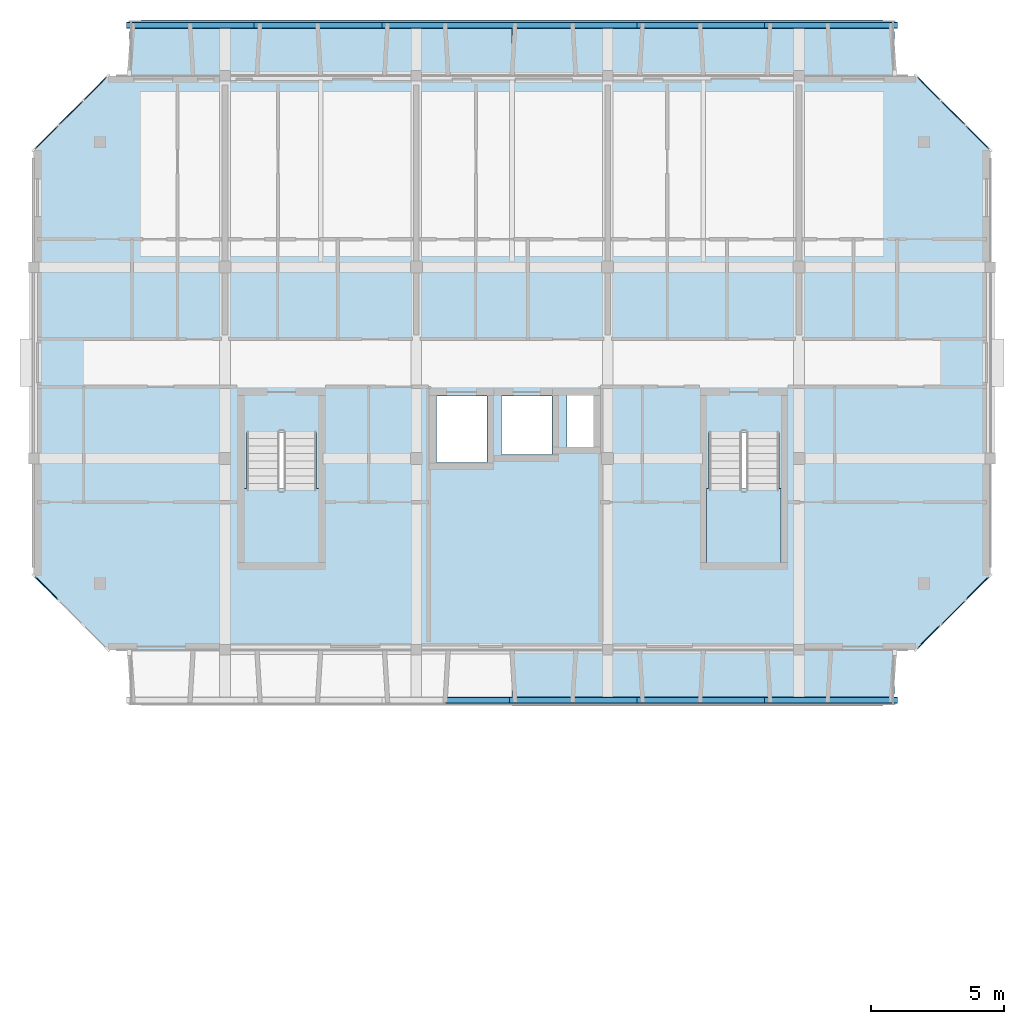
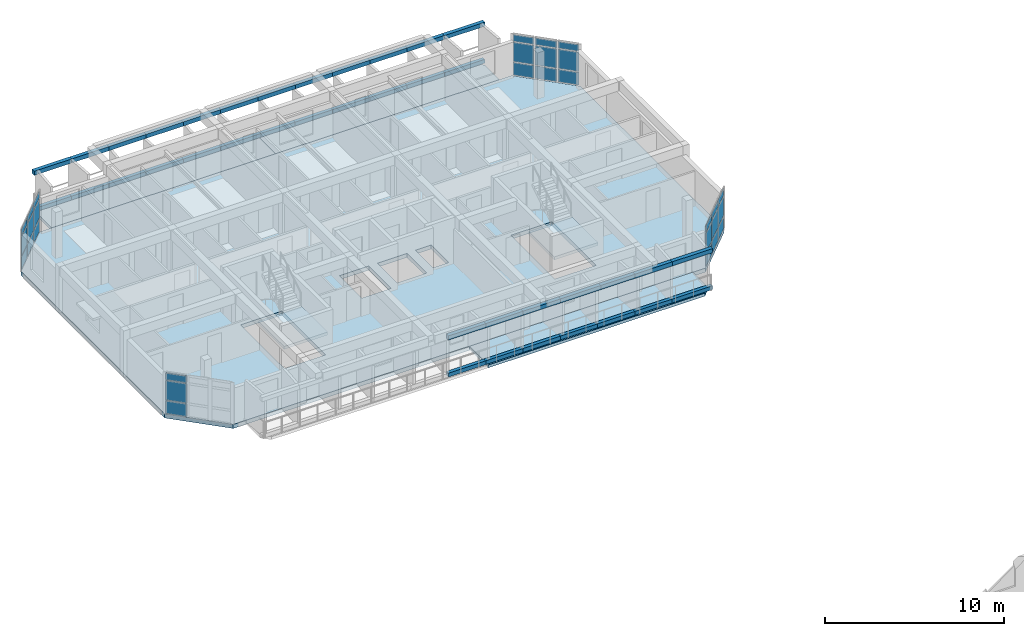
# One storey, part 7 of 19: 68 plates, 6 slabs, 6 elements without a shape of their own.
"""IFC4 building model written with IfcOpenShell, lengths in metres."""

from ifc_helpers import new_model, si_unit, direction, frame, origin, origin_2d, place, context, subcontext, project, spatial, polyline, rectangle, outline, extrude, material, layer, layer_set, type_object, element, aggregate, save


model = new_model("IFC4")

# Units and contexts
model_context = context("Model", 3, precision=1e-05, world=origin(), true_north=direction((0.0, 1.0)))
body_context = subcontext(model_context, "Body", "Model", "MODEL_VIEW")
ifc_project = project(units=[si_unit("LENGTHUNIT", "METRE"), si_unit("AREAUNIT", "SQUARE_METRE"), si_unit("VOLUMEUNIT", "CUBIC_METRE"), si_unit("PLANEANGLEUNIT", "RADIAN"), si_unit("MASSUNIT", "GRAM", prefix="KILO")], contexts=[model_context])

# Site, building, storey
site_placement = place(None, origin())
site = spatial("IfcSite", under=ifc_project, at=site_placement, CompositionType="ELEMENT")
building_placement = place(site_placement, origin())
building = spatial("IfcBuilding", under=site, at=building_placement, Name="Ochrevale Crest", CompositionType="ELEMENT")
storey_placement = place(building_placement, frame((0.0, 0.0, 43.35009765625)))
storey = spatial("IfcBuildingStorey", under=building, at=storey_placement, Name="L13", CompositionType="ELEMENT", Elevation=43.35009765625)

# Curtain wall, plates
ifc_material_1 = material(Name="Anodised aluminium 6063-T5", Category="aluminium")
ifc_layer_1 = layer(ifc_material_1, 0.14990234375)
ifc_layer_set_1 = layer_set([ifc_layer_1], Name="Anodised aluminium 6063-T5")
curtain_wall_type_1 = type_object("IfcCurtainWallType", Name="CW-WG-240x285", PredefinedType="NOTDEFINED", material=ifc_layer_set_1)
curtain_wall_1_placement = place(storey_placement, origin())
curtain_wall_1 = element("IfcCurtainWall", 1, at=curtain_wall_1_placement, inside=storey, type_object=curtain_wall_type_1, Name="Block D L13 chamfered corner wintergarden curtain wall 2", PredefinedType="NOTDEFINED")
ifc_material_2 = material(Name="Double-glazed low-E insulated glass unit", Category="glass")
ifc_layer_2 = layer(ifc_material_2, 0.028076171875)
ifc_layer_set_2 = layer_set([ifc_layer_2], Name="Double-glazed low-E insulated glass unit")
plate_type_1 = type_object("IfcPlateType", Name="CW-PNL-IGU28", PredefinedType="CURTAIN_PANEL", material=ifc_layer_set_2)
plate_1_placement = place(storey_placement, frame((163.280029296875, 72.47998046875, 0.06005859375), z_axis=(0.0, 0.0, 1.0), x_axis=(0.707106781187, 0.707106781187, 0.0)))
plate_1 = element("IfcPlate", 2, at=plate_1_placement, type_object=plate_type_1, Name="CW15 panel 1.1", PredefinedType="CURTAIN_PANEL", context=body_context, shape_type="SweptSolid", body=[
    extrude(rectangle(XDim=1.20751953125, YDim=0.028076171875, at=origin_2d()), origin(), (0.0, 0.0, 1.0), 0.860107421875),
])
plate_2_placement = place(storey_placement, frame((163.280029296875, 72.47998046875, 0.97998046875), z_axis=(0.0, 0.0, 1.0), x_axis=(0.707106781187, 0.707106781187, 0.0)))
plate_2 = element("IfcPlate", 3, at=plate_2_placement, type_object=plate_type_1, Name="CW15 panel 1.2", PredefinedType="CURTAIN_PANEL", context=body_context, shape_type="SweptSolid", body=[
    extrude(rectangle(XDim=1.20751953125, YDim=0.028076171875, at=origin_2d()), origin(), (0.0, 0.0, 1.0), 1.31494140625),
])
plate_3_placement = place(storey_placement, frame((163.280029296875, 72.47998046875, 2.35498046875), z_axis=(0.0, 0.0, 1.0), x_axis=(0.707106781187, 0.707106781187, 0.0)))
plate_3 = element("IfcPlate", 4, at=plate_3_placement, type_object=plate_type_1, Name="CW15 panel 1.3", PredefinedType="CURTAIN_PANEL", context=body_context, shape_type="SweptSolid", body=[
    extrude(rectangle(XDim=1.20751953125, YDim=0.028076171875, at=origin_2d()), origin(), (0.0, 0.0, 1.0), 0.4599609375),
])
plate_4_placement = place(storey_placement, frame((164.199951171875, 73.39990234375, 0.06005859375), z_axis=(0.0, 0.0, 1.0), x_axis=(0.707106781187, 0.707106781187, 0.0)))
plate_4 = element("IfcPlate", 5, at=plate_4_placement, type_object=plate_type_1, Name="CW15 panel 2.1", PredefinedType="CURTAIN_PANEL", context=body_context, shape_type="SweptSolid", body=[
    extrude(rectangle(XDim=1.244873046875, YDim=0.028076171875, at=origin_2d()), origin(), (0.0, 0.0, 1.0), 0.860107421875),
])
plate_5_placement = place(storey_placement, frame((164.199951171875, 73.39990234375, 0.97998046875), z_axis=(0.0, 0.0, 1.0), x_axis=(0.707106781187, 0.707106781187, 0.0)))
plate_5 = element("IfcPlate", 6, at=plate_5_placement, type_object=plate_type_1, Name="CW15 panel 2.2", PredefinedType="CURTAIN_PANEL", context=body_context, shape_type="SweptSolid", body=[
    extrude(rectangle(XDim=1.244873046875, YDim=0.028076171875, at=origin_2d()), origin(), (0.0, 0.0, 1.0), 1.31494140625),
])
plate_6_placement = place(storey_placement, frame((164.199951171875, 73.39990234375, 2.35498046875), z_axis=(0.0, 0.0, 1.0), x_axis=(0.707106781187, 0.707106781187, 0.0)))
plate_6 = element("IfcPlate", 7, at=plate_6_placement, type_object=plate_type_1, Name="CW15 panel 2.3", PredefinedType="CURTAIN_PANEL", context=body_context, shape_type="SweptSolid", body=[
    extrude(rectangle(XDim=1.244873046875, YDim=0.028076171875, at=origin_2d()), origin(), (0.0, 0.0, 1.0), 0.4599609375),
])
plate_7_placement = place(storey_placement, frame((165.1201171875, 74.320068359375, 0.06005859375), z_axis=(0.0, 0.0, 1.0), x_axis=(0.707106781187, 0.707106781187, 0.0)))
plate_7 = element("IfcPlate", 8, at=plate_7_placement, type_object=plate_type_1, Name="CW15 panel 3.1", PredefinedType="CURTAIN_PANEL", context=body_context, shape_type="SweptSolid", body=[
    extrude(rectangle(XDim=1.20751953125, YDim=0.028076171875, at=origin_2d()), origin(), (0.0, 0.0, 1.0), 0.860107421875),
])
plate_8_placement = place(storey_placement, frame((165.1201171875, 74.320068359375, 0.97998046875), z_axis=(0.0, 0.0, 1.0), x_axis=(0.707106781187, 0.707106781187, 0.0)))
plate_8 = element("IfcPlate", 9, at=plate_8_placement, type_object=plate_type_1, Name="CW15 panel 3.2", PredefinedType="CURTAIN_PANEL", context=body_context, shape_type="SweptSolid", body=[
    extrude(rectangle(XDim=1.20751953125, YDim=0.028076171875, at=origin_2d()), origin(), (0.0, 0.0, 1.0), 1.31494140625),
])
plate_9_placement = place(storey_placement, frame((165.1201171875, 74.320068359375, 2.35498046875), z_axis=(0.0, 0.0, 1.0), x_axis=(0.707106781187, 0.707106781187, 0.0)))
plate_9 = element("IfcPlate", 10, at=plate_9_placement, type_object=plate_type_1, Name="CW15 panel 3.3", PredefinedType="CURTAIN_PANEL", context=body_context, shape_type="SweptSolid", body=[
    extrude(rectangle(XDim=1.20751953125, YDim=0.028076171875, at=origin_2d()), origin(), (0.0, 0.0, 1.0), 0.4599609375),
])
aggregate(curtain_wall_1, [plate_1, plate_2, plate_3, plate_4, plate_5, plate_6, plate_7, plate_8, plate_9])

ifc_layer_3 = layer(ifc_material_1, 0.14990234375)
ifc_layer_set_3 = layer_set([ifc_layer_3], Name="Anodised aluminium 6063-T5")
curtain_wall_type_2 = type_object("IfcCurtainWallType", Name="CW-WG-320x285", PredefinedType="NOTDEFINED", material=ifc_layer_set_3)
curtain_wall_2_placement = place(storey_placement, origin())
curtain_wall_2 = element("IfcCurtainWall", 11, at=curtain_wall_2_placement, inside=storey, type_object=curtain_wall_type_2, Name="Block D L13 chamfered corner wintergarden curtain wall 4", PredefinedType="NOTDEFINED")
plate_10_placement = place(storey_placement, frame((165.1201171875, 91.280029296875, 0.06005859375), z_axis=(0.0, 0.0, 1.0), x_axis=(-0.707106781187, 0.707106781187, 0.0)))
plate_10 = element("IfcPlate", 12, at=plate_10_placement, type_object=plate_type_1, Name="CW17 panel 1.1", PredefinedType="CURTAIN_PANEL", context=body_context, shape_type="SweptSolid", body=[
    extrude(rectangle(XDim=1.20751953125, YDim=0.028076171875, at=origin_2d()), origin(), (0.0, 0.0, 1.0), 0.860107421875),
])
plate_11_placement = place(storey_placement, frame((165.1201171875, 91.280029296875, 0.97998046875), z_axis=(0.0, 0.0, 1.0), x_axis=(-0.707106781187, 0.707106781187, 0.0)))
plate_11 = element("IfcPlate", 13, at=plate_11_placement, type_object=plate_type_1, Name="CW17 panel 1.2", PredefinedType="CURTAIN_PANEL", context=body_context, shape_type="SweptSolid", body=[
    extrude(rectangle(XDim=1.20751953125, YDim=0.028076171875, at=origin_2d()), origin(), (0.0, 0.0, 1.0), 1.31494140625),
])
plate_12_placement = place(storey_placement, frame((165.1201171875, 91.280029296875, 2.35498046875), z_axis=(0.0, 0.0, 1.0), x_axis=(-0.707106781187, 0.707106781187, 0.0)))
plate_12 = element("IfcPlate", 14, at=plate_12_placement, type_object=plate_type_1, Name="CW17 panel 1.3", PredefinedType="CURTAIN_PANEL", context=body_context, shape_type="SweptSolid", body=[
    extrude(rectangle(XDim=1.20751953125, YDim=0.028076171875, at=origin_2d()), origin(), (0.0, 0.0, 1.0), 0.4599609375),
])
plate_13_placement = place(storey_placement, frame((164.199951171875, 92.199951171875, 0.06005859375), z_axis=(0.0, 0.0, 1.0), x_axis=(-0.707106781187, 0.707106781187, 0.0)))
plate_13 = element("IfcPlate", 15, at=plate_13_placement, type_object=plate_type_1, Name="CW17 panel 2.1", PredefinedType="CURTAIN_PANEL", context=body_context, shape_type="SweptSolid", body=[
    extrude(rectangle(XDim=1.244873046875, YDim=0.028076171875, at=origin_2d()), origin(), (0.0, 0.0, 1.0), 0.860107421875),
])
plate_14_placement = place(storey_placement, frame((164.199951171875, 92.199951171875, 0.97998046875), z_axis=(0.0, 0.0, 1.0), x_axis=(-0.707106781187, 0.707106781187, 0.0)))
plate_14 = element("IfcPlate", 16, at=plate_14_placement, type_object=plate_type_1, Name="CW17 panel 2.2", PredefinedType="CURTAIN_PANEL", context=body_context, shape_type="SweptSolid", body=[
    extrude(rectangle(XDim=1.244873046875, YDim=0.028076171875, at=origin_2d()), origin(), (0.0, 0.0, 1.0), 1.31494140625),
])
plate_15_placement = place(storey_placement, frame((164.199951171875, 92.199951171875, 2.35498046875), z_axis=(0.0, 0.0, 1.0), x_axis=(-0.707106781187, 0.707106781187, 0.0)))
plate_15 = element("IfcPlate", 17, at=plate_15_placement, type_object=plate_type_1, Name="CW17 panel 2.3", PredefinedType="CURTAIN_PANEL", context=body_context, shape_type="SweptSolid", body=[
    extrude(rectangle(XDim=1.244873046875, YDim=0.028076171875, at=origin_2d()), origin(), (0.0, 0.0, 1.0), 0.4599609375),
])
plate_16_placement = place(storey_placement, frame((163.280029296875, 93.1201171875, 0.06005859375), z_axis=(0.0, 0.0, 1.0), x_axis=(-0.707106781187, 0.707106781187, 0.0)))
plate_16 = element("IfcPlate", 18, at=plate_16_placement, type_object=plate_type_1, Name="CW17 panel 3.1", PredefinedType="CURTAIN_PANEL", context=body_context, shape_type="SweptSolid", body=[
    extrude(rectangle(XDim=1.20751953125, YDim=0.028076171875, at=origin_2d()), origin(), (0.0, 0.0, 1.0), 0.860107421875),
])
plate_17_placement = place(storey_placement, frame((163.280029296875, 93.1201171875, 0.97998046875), z_axis=(0.0, 0.0, 1.0), x_axis=(-0.707106781187, 0.707106781187, 0.0)))
plate_17 = element("IfcPlate", 19, at=plate_17_placement, type_object=plate_type_1, Name="CW17 panel 3.2", PredefinedType="CURTAIN_PANEL", context=body_context, shape_type="SweptSolid", body=[
    extrude(rectangle(XDim=1.20751953125, YDim=0.028076171875, at=origin_2d()), origin(), (0.0, 0.0, 1.0), 1.31494140625),
])
plate_18_placement = place(storey_placement, frame((163.280029296875, 93.1201171875, 2.35498046875), z_axis=(0.0, 0.0, 1.0), x_axis=(-0.707106781187, 0.707106781187, 0.0)))
plate_18 = element("IfcPlate", 20, at=plate_18_placement, type_object=plate_type_1, Name="CW17 panel 3.3", PredefinedType="CURTAIN_PANEL", context=body_context, shape_type="SweptSolid", body=[
    extrude(rectangle(XDim=1.20751953125, YDim=0.028076171875, at=origin_2d()), origin(), (0.0, 0.0, 1.0), 0.4599609375),
])
aggregate(curtain_wall_2, [plate_10, plate_11, plate_12, plate_13, plate_14, plate_15, plate_16, plate_17, plate_18])

ifc_layer_4 = layer(ifc_material_1, 0.14990234375)
ifc_layer_set_4 = layer_set([ifc_layer_4], Name="Anodised aluminium 6063-T5")
curtain_wall_type_3 = type_object("IfcCurtainWallType", Name="CW-WG-420x285", PredefinedType="NOTDEFINED", material=ifc_layer_set_4)
curtain_wall_3_placement = place(storey_placement, origin())
curtain_wall_3 = element("IfcCurtainWall", 21, at=curtain_wall_3_placement, inside=storey, type_object=curtain_wall_type_3, Name="Block D L13 chamfered corner wintergarden curtain wall 6", PredefinedType="NOTDEFINED")
plate_19_placement = place(storey_placement, frame((131.920166015625, 93.1201171875, 0.06005859375), z_axis=(0.0, 0.0, 1.0), x_axis=(-0.707106781187, -0.707106781187, 0.0)))
plate_19 = element("IfcPlate", 22, at=plate_19_placement, type_object=plate_type_1, Name="CW22 panel 1.1", PredefinedType="CURTAIN_PANEL", context=body_context, shape_type="SweptSolid", body=[
    extrude(rectangle(XDim=1.20751953125, YDim=0.028076171875, at=origin_2d()), origin(), (0.0, 0.0, 1.0), 0.860107421875),
])
plate_20_placement = place(storey_placement, frame((131.920166015625, 93.1201171875, 0.97998046875), z_axis=(0.0, 0.0, 1.0), x_axis=(-0.707106781187, -0.707106781187, 0.0)))
plate_20 = element("IfcPlate", 23, at=plate_20_placement, type_object=plate_type_1, Name="CW22 panel 1.2", PredefinedType="CURTAIN_PANEL", context=body_context, shape_type="SweptSolid", body=[
    extrude(rectangle(XDim=1.20751953125, YDim=0.028076171875, at=origin_2d()), origin(), (0.0, 0.0, 1.0), 1.31494140625),
])
plate_21_placement = place(storey_placement, frame((131.920166015625, 93.1201171875, 2.35498046875), z_axis=(0.0, 0.0, 1.0), x_axis=(-0.707106781187, -0.707106781187, 0.0)))
plate_21 = element("IfcPlate", 24, at=plate_21_placement, type_object=plate_type_1, Name="CW22 panel 1.3", PredefinedType="CURTAIN_PANEL", context=body_context, shape_type="SweptSolid", body=[
    extrude(rectangle(XDim=1.20751953125, YDim=0.028076171875, at=origin_2d()), origin(), (0.0, 0.0, 1.0), 0.4599609375),
])
plate_22_placement = place(storey_placement, frame((131.0, 92.199951171875, 0.06005859375), z_axis=(0.0, 0.0, 1.0), x_axis=(-0.707106781187, -0.707106781187, 0.0)))
plate_22 = element("IfcPlate", 25, at=plate_22_placement, type_object=plate_type_1, Name="CW22 panel 2.1", PredefinedType="CURTAIN_PANEL", context=body_context, shape_type="SweptSolid", body=[
    extrude(rectangle(XDim=1.244873046875, YDim=0.028076171875, at=origin_2d()), origin(), (0.0, 0.0, 1.0), 0.860107421875),
])
plate_23_placement = place(storey_placement, frame((131.0, 92.199951171875, 0.97998046875), z_axis=(0.0, 0.0, 1.0), x_axis=(-0.707106781187, -0.707106781187, 0.0)))
plate_23 = element("IfcPlate", 26, at=plate_23_placement, type_object=plate_type_1, Name="CW22 panel 2.2", PredefinedType="CURTAIN_PANEL", context=body_context, shape_type="SweptSolid", body=[
    extrude(rectangle(XDim=1.244873046875, YDim=0.028076171875, at=origin_2d()), origin(), (0.0, 0.0, 1.0), 1.31494140625),
])
plate_24_placement = place(storey_placement, frame((131.0, 92.199951171875, 2.35498046875), z_axis=(0.0, 0.0, 1.0), x_axis=(-0.707106781187, -0.707106781187, 0.0)))
plate_24 = element("IfcPlate", 27, at=plate_24_placement, type_object=plate_type_1, Name="CW22 panel 2.3", PredefinedType="CURTAIN_PANEL", context=body_context, shape_type="SweptSolid", body=[
    extrude(rectangle(XDim=1.244873046875, YDim=0.028076171875, at=origin_2d()), origin(), (0.0, 0.0, 1.0), 0.4599609375),
])
plate_25_placement = place(storey_placement, frame((130.079833984375, 91.280029296875, 0.06005859375), z_axis=(0.0, 0.0, 1.0), x_axis=(-0.707106781187, -0.707106781187, 0.0)))
plate_25 = element("IfcPlate", 28, at=plate_25_placement, type_object=plate_type_1, Name="CW22 panel 3.1", PredefinedType="CURTAIN_PANEL", context=body_context, shape_type="SweptSolid", body=[
    extrude(rectangle(XDim=1.20751953125, YDim=0.028076171875, at=origin_2d()), origin(), (0.0, 0.0, 1.0), 0.860107421875),
])
plate_26_placement = place(storey_placement, frame((130.079833984375, 91.280029296875, 0.97998046875), z_axis=(0.0, 0.0, 1.0), x_axis=(-0.707106781187, -0.707106781187, 0.0)))
plate_26 = element("IfcPlate", 29, at=plate_26_placement, type_object=plate_type_1, Name="CW22 panel 3.2", PredefinedType="CURTAIN_PANEL", context=body_context, shape_type="SweptSolid", body=[
    extrude(rectangle(XDim=1.20751953125, YDim=0.028076171875, at=origin_2d()), origin(), (0.0, 0.0, 1.0), 1.31494140625),
])
plate_27_placement = place(storey_placement, frame((130.079833984375, 91.280029296875, 2.35498046875), z_axis=(0.0, 0.0, 1.0), x_axis=(-0.707106781187, -0.707106781187, 0.0)))
plate_27 = element("IfcPlate", 30, at=plate_27_placement, type_object=plate_type_1, Name="CW22 panel 3.3", PredefinedType="CURTAIN_PANEL", context=body_context, shape_type="SweptSolid", body=[
    extrude(rectangle(XDim=1.20751953125, YDim=0.028076171875, at=origin_2d()), origin(), (0.0, 0.0, 1.0), 0.4599609375),
])
aggregate(curtain_wall_3, [plate_19, plate_20, plate_21, plate_22, plate_23, plate_24, plate_25, plate_26, plate_27])

ifc_layer_5 = layer(ifc_material_1, 0.14990234375)
ifc_layer_set_5 = layer_set([ifc_layer_5], Name="Anodised aluminium 6063-T5")
curtain_wall_type_4 = type_object("IfcCurtainWallType", Name="CW-WG-280x285", PredefinedType="NOTDEFINED", material=ifc_layer_set_5)
curtain_wall_4_placement = place(storey_placement, origin())
curtain_wall_4 = element("IfcCurtainWall", 31, at=curtain_wall_4_placement, inside=storey, type_object=curtain_wall_type_4, Name="Block D L13 chamfered corner wintergarden curtain wall 8", PredefinedType="NOTDEFINED")
ifc_material_3 = material(Name="Acoustic laminated low-E insulated glass unit", Category="glass")
ifc_layer_6 = layer(ifc_material_3, 0.0380859375)
ifc_layer_set_6 = layer_set([ifc_layer_6], Name="Acoustic laminated low-E insulated glass unit")
plate_type_2 = type_object("IfcPlateType", Name="CW-PNL-IGU38", PredefinedType="CURTAIN_PANEL", material=ifc_layer_set_6)
plate_28_placement = place(storey_placement, frame((130.079833984375, 74.320068359375, 0.06005859375), z_axis=(0.0, 0.0, 1.0), x_axis=(0.707106781187, -0.707106781187, 0.0)))
plate_28 = element("IfcPlate", 32, at=plate_28_placement, type_object=plate_type_2, Name="CW16 panel 1.1", PredefinedType="CURTAIN_PANEL", context=body_context, shape_type="SweptSolid", body=[
    extrude(rectangle(XDim=1.20751953125, YDim=0.0380859375, at=origin_2d()), origin(), (0.0, 0.0, 1.0), 0.860107421875),
])
plate_29_placement = place(storey_placement, frame((130.079833984375, 74.320068359375, 0.97998046875), z_axis=(0.0, 0.0, 1.0), x_axis=(0.707106781187, -0.707106781187, 0.0)))
plate_29 = element("IfcPlate", 33, at=plate_29_placement, type_object=plate_type_2, Name="CW16 panel 1.2", PredefinedType="CURTAIN_PANEL", context=body_context, shape_type="SweptSolid", body=[
    extrude(rectangle(XDim=1.20751953125, YDim=0.0380859375, at=origin_2d()), origin(), (0.0, 0.0, 1.0), 1.31494140625),
])
plate_30_placement = place(storey_placement, frame((130.079833984375, 74.320068359375, 2.35498046875), z_axis=(0.0, 0.0, 1.0), x_axis=(0.707106781187, -0.707106781187, 0.0)))
plate_30 = element("IfcPlate", 34, at=plate_30_placement, type_object=plate_type_2, Name="CW16 panel 1.3", PredefinedType="CURTAIN_PANEL", context=body_context, shape_type="SweptSolid", body=[
    extrude(rectangle(XDim=1.20751953125, YDim=0.0380859375, at=origin_2d()), origin(), (0.0, 0.0, 1.0), 0.4599609375),
])
aggregate(curtain_wall_4, [plate_28, plate_29, plate_30])

# Plates
ifc_material_4 = material(Name="Precast concrete C40/50", Category="concrete")
ifc_layer_7 = layer(ifc_material_4, 0.06005859375)
ifc_layer_set_7 = layer_set([ifc_layer_7], Name="Precast concrete C40/50")
plate_type_3 = type_object("IfcPlateType", Name="PLT-HC-HEAD-60", PredefinedType="USERDEFINED", material=ifc_layer_set_7)
for number, where, z_axis, x_axis, name in (
    (35, (146.39990234375, 70.10009765625, 2.52001953125), (0.0, 0.0, 1.0), (1.0, 0.0, 0.0), "Block D L13 S honeycomb arched lintel fascia 6"),
    (36, (148.800048828125, 70.10009765625, 2.52001953125), (0.0, 0.0, 1.0), (1.0, 0.0, 0.0), "Block D L13 S honeycomb arched lintel fascia 7"),
    (37, (151.199951171875, 70.10009765625, 2.52001953125), (0.0, 0.0, 1.0), (1.0, 0.0, 0.0), "Block D L13 S honeycomb arched lintel fascia 8"),
    (38, (153.60009765625, 70.10009765625, 2.52001953125), (0.0, 0.0, 1.0), (1.0, 0.0, 0.0), "Block D L13 S honeycomb arched lintel fascia 9"),
    (39, (156.0, 70.10009765625, 2.52001953125), (0.0, 0.0, 1.0), (1.0, 0.0, 0.0), "Block D L13 S honeycomb arched lintel fascia 10"),
    (40, (158.39990234375, 70.10009765625, 2.52001953125), (0.0, 0.0, 1.0), (1.0, 0.0, 0.0), "Block D L13 S honeycomb arched lintel fascia 11"),
    (41, (160.800048828125, 70.10009765625, 2.52001953125), (0.0, 0.0, 1.0), (1.0, 0.0, 0.0), "Block D L13 S honeycomb arched lintel fascia 12"),
    (42, (134.39990234375, 95.5, 2.52001953125), (0.0, 0.0, 1.0), (1.0, 0.0, 0.0), "Block D L13 N honeycomb arched lintel fascia 1"),
    (43, (136.800048828125, 95.5, 2.52001953125), (0.0, 0.0, 1.0), (1.0, 0.0, 0.0), "Block D L13 N honeycomb arched lintel fascia 2"),
    (44, (139.199951171875, 95.5, 2.52001953125), (0.0, 0.0, 1.0), (1.0, 0.0, 0.0), "Block D L13 N honeycomb arched lintel fascia 3"),
    (45, (141.60009765625, 95.5, 2.52001953125), (0.0, 0.0, 1.0), (1.0, 0.0, 0.0), "Block D L13 N honeycomb arched lintel fascia 4"),
    (46, (144.0, 95.5, 2.52001953125), (0.0, 0.0, 1.0), (1.0, 0.0, 0.0), "Block D L13 N honeycomb arched lintel fascia 5"),
    (47, (146.39990234375, 95.5, 2.52001953125), (0.0, 0.0, 1.0), (1.0, 0.0, 0.0), "Block D L13 N honeycomb arched lintel fascia 6"),
    (48, (148.800048828125, 95.5, 2.52001953125), (0.0, 0.0, 1.0), (1.0, 0.0, 0.0), "Block D L13 N honeycomb arched lintel fascia 7"),
    (49, (151.199951171875, 95.5, 2.52001953125), (0.0, 0.0, 1.0), (1.0, 0.0, 0.0), "Block D L13 N honeycomb arched lintel fascia 8"),
    (50, (153.60009765625, 95.5, 2.52001953125), (0.0, 0.0, 1.0), (1.0, 0.0, 0.0), "Block D L13 N honeycomb arched lintel fascia 9"),
    (51, (156.0, 95.5, 2.52001953125), (0.0, 0.0, 1.0), (1.0, 0.0, 0.0), "Block D L13 N honeycomb arched lintel fascia 10"),
    (52, (158.39990234375, 95.5, 2.52001953125), (0.0, 0.0, 1.0), (1.0, 0.0, 0.0), "Block D L13 N honeycomb arched lintel fascia 11"),
    (53, (160.800048828125, 95.5, 2.52001953125), (0.0, 0.0, 1.0), (1.0, 0.0, 0.0), "Block D L13 N honeycomb arched lintel fascia 12"),
):
    element("IfcPlate", number, at=place(storey_placement, frame(where, z_axis=z_axis, x_axis=x_axis)), inside=storey, type_object=plate_type_3, Name=name, ObjectType="FACADE FASCIA PLATE", PredefinedType="USERDEFINED", context=body_context, shape_type="SweptSolid", body=[
        extrude(rectangle(XDim=2.60009765625, YDim=0.239990234375, at=origin_2d()), origin(), (0.0, 0.0, 1.0), 0.280029296875),
    ])
ifc_layer_8 = layer(ifc_material_4, 0.044921875)
ifc_layer_set_8 = layer_set([ifc_layer_8], Name="Precast concrete C40/50")
plate_type_4 = type_object("IfcPlateType", Name="PLT-HC-SILL-45", PredefinedType="USERDEFINED", material=ifc_layer_set_8)
for number, where, z_axis, x_axis, name in (
    (54, (146.39990234375, 70.10009765625, 0.0), (0.0, 0.0, 1.0), (1.0, 0.0, 0.0), "Block D L13 S honeycomb sill coping plate 6"),
    (55, (148.800048828125, 70.10009765625, 0.0), (0.0, 0.0, 1.0), (1.0, 0.0, 0.0), "Block D L13 S honeycomb sill coping plate 7"),
    (56, (151.199951171875, 70.10009765625, 0.0), (0.0, 0.0, 1.0), (1.0, 0.0, 0.0), "Block D L13 S honeycomb sill coping plate 8"),
    (57, (153.60009765625, 70.10009765625, 0.0), (0.0, 0.0, 1.0), (1.0, 0.0, 0.0), "Block D L13 S honeycomb sill coping plate 9"),
    (58, (156.0, 70.10009765625, 0.0), (0.0, 0.0, 1.0), (1.0, 0.0, 0.0), "Block D L13 S honeycomb sill coping plate 10"),
    (59, (158.39990234375, 70.10009765625, 0.0), (0.0, 0.0, 1.0), (1.0, 0.0, 0.0), "Block D L13 S honeycomb sill coping plate 11"),
    (60, (160.800048828125, 70.10009765625, 0.0), (0.0, 0.0, 1.0), (1.0, 0.0, 0.0), "Block D L13 S honeycomb sill coping plate 12"),
    (61, (134.39990234375, 95.5, 0.0), (0.0, 0.0, 1.0), (1.0, 0.0, 0.0), "Block D L13 N honeycomb sill coping plate 1"),
    (62, (136.800048828125, 95.5, 0.0), (0.0, 0.0, 1.0), (1.0, 0.0, 0.0), "Block D L13 N honeycomb sill coping plate 2"),
    (63, (139.199951171875, 95.5, 0.0), (0.0, 0.0, 1.0), (1.0, 0.0, 0.0), "Block D L13 N honeycomb sill coping plate 3"),
    (64, (141.60009765625, 95.5, 0.0), (0.0, 0.0, 1.0), (1.0, 0.0, 0.0), "Block D L13 N honeycomb sill coping plate 4"),
    (65, (144.0, 95.5, 0.0), (0.0, 0.0, 1.0), (1.0, 0.0, 0.0), "Block D L13 N honeycomb sill coping plate 5"),
    (66, (146.39990234375, 95.5, 0.0), (0.0, 0.0, 1.0), (1.0, 0.0, 0.0), "Block D L13 N honeycomb sill coping plate 6"),
    (67, (148.800048828125, 95.5, 0.0), (0.0, 0.0, 1.0), (1.0, 0.0, 0.0), "Block D L13 N honeycomb sill coping plate 7"),
    (68, (151.199951171875, 95.5, 0.0), (0.0, 0.0, 1.0), (1.0, 0.0, 0.0), "Block D L13 N honeycomb sill coping plate 8"),
    (69, (153.60009765625, 95.5, 0.0), (0.0, 0.0, 1.0), (1.0, 0.0, 0.0), "Block D L13 N honeycomb sill coping plate 9"),
    (70, (156.0, 95.5, 0.0), (0.0, 0.0, 1.0), (1.0, 0.0, 0.0), "Block D L13 N honeycomb sill coping plate 10"),
    (71, (158.39990234375, 95.5, 0.0), (0.0, 0.0, 1.0), (1.0, 0.0, 0.0), "Block D L13 N honeycomb sill coping plate 11"),
    (72, (160.800048828125, 95.5, 0.0), (0.0, 0.0, 1.0), (1.0, 0.0, 0.0), "Block D L13 N honeycomb sill coping plate 12"),
):
    element("IfcPlate", number, at=place(storey_placement, frame(where, z_axis=z_axis, x_axis=x_axis)), inside=storey, type_object=plate_type_4, Name=name, ObjectType="SILL COPING PLATE", PredefinedType="USERDEFINED", context=body_context, shape_type="SweptSolid", body=[
        extrude(rectangle(XDim=2.60009765625, YDim=0.219970703125, at=origin_2d()), origin(), (0.0, 0.0, 1.0), 0.260009765625),
    ])

# Slabs
ifc_layer_9 = layer(ifc_material_4, 0.199951171875)
ifc_layer_set_9 = layer_set([ifc_layer_9], Name="Precast concrete C40/50")
slab_type_1 = type_object("IfcSlabType", Name="SLB-BAL-200", PredefinedType="FLOOR", material=ifc_layer_set_9)
slab_1_placement = place(storey_placement, frame((0.0, 0.0, -0.2001953125)))
element("IfcSlab", 73, at=slab_1_placement, inside=storey, type_object=slab_type_1, Name="Block D L13 S2 precast loggia balcony slab", PredefinedType="FLOOR", context=body_context, shape_type="SweptSolid", body=[
    extrude(outline(polyline([(147.60009765625, 69.89990234375), (161.550048828125, 69.89990234375), (162.0, 70.35009765625), (162.0, 72.0), (147.60009765625, 72.0), (147.60009765625, 69.89990234375)])), origin(), (0.0, 0.0, 1.0), 0.2001953125),
])
slab_2_placement = place(storey_placement, frame((0.0, 0.0, -0.2001953125)))
element("IfcSlab", 74, at=slab_2_placement, inside=storey, type_object=slab_type_1, Name="Block D L13 N1 precast loggia balcony slab", PredefinedType="FLOOR", context=body_context, shape_type="SweptSolid", body=[
    extrude(outline(polyline([(133.199951171875, 93.60009765625), (147.60009765625, 93.60009765625), (147.60009765625, 95.699951171875), (133.64990234375, 95.699951171875), (133.199951171875, 95.25), (133.199951171875, 93.60009765625)])), origin(), (0.0, 0.0, 1.0), 0.2001953125),
])
slab_3_placement = place(storey_placement, frame((0.0, 0.0, -0.2001953125)))
element("IfcSlab", 75, at=slab_3_placement, inside=storey, type_object=slab_type_1, Name="Block D L13 N2 precast loggia balcony slab", PredefinedType="FLOOR", context=body_context, shape_type="SweptSolid", body=[
    extrude(outline(polyline([(147.60009765625, 93.60009765625), (162.0, 93.60009765625), (162.0, 95.25), (161.550048828125, 95.699951171875), (147.60009765625, 95.699951171875), (147.60009765625, 93.60009765625)])), origin(), (0.0, 0.0, 1.0), 0.2001953125),
])
ifc_layer_10 = layer(ifc_material_4, 0.27490234375)
ifc_layer_set_10 = layer_set([ifc_layer_10], Name="Precast concrete C40/50")
slab_type_2 = type_object("IfcSlabType", Name="SLB-RES-275", PredefinedType="FLOOR", material=ifc_layer_set_10)
slab_4_placement = place(storey_placement, frame((0.0, 0.0, -0.275146484375)))
element("IfcSlab", 76, at=slab_4_placement, inside=storey, type_object=slab_type_2, Name="Block D L13 composite hollowcore floor slab", PredefinedType="FLOOR", context=body_context, shape_type="SweptSolid", body=[
    extrude(outline(polyline([(132.39990234375, 72.0), (162.800048828125, 72.0), (165.60009765625, 74.800048828125), (165.60009765625, 90.800048828125), (162.800048828125, 93.60009765625), (132.39990234375, 93.60009765625), (129.60009765625, 90.800048828125), (129.60009765625, 74.800048828125), (132.39990234375, 72.0)]), holes=[polyline([(137.60009765625, 80.175048828125), (137.60009765625, 75.27490234375), (140.25, 75.27490234375), (140.25, 80.175048828125), (137.60009765625, 80.175048828125)]), polyline([(155.0, 80.175048828125), (155.0, 75.27490234375), (157.64990234375, 75.27490234375), (157.64990234375, 80.175048828125), (155.0, 80.175048828125)]), polyline([(144.75, 79.050048828125), (146.64990234375, 79.050048828125), (146.64990234375, 81.550048828125), (144.75, 81.550048828125), (144.75, 79.050048828125)]), polyline([(147.199951171875, 79.35009765625), (149.10009765625, 79.35009765625), (149.10009765625, 81.550048828125), (147.199951171875, 81.550048828125), (147.199951171875, 79.35009765625)]), polyline([(149.669921875, 79.6201171875), (150.679931640625, 79.6201171875), (150.679931640625, 81.580078125), (149.669921875, 81.580078125), (149.669921875, 79.6201171875)])]), origin(), (0.0, 0.0, 1.0), 0.275146484375),
])

# Stair, slab
stair_type = type_object("IfcStairType", Name="ST-CORE-DOG", PredefinedType="HALF_TURN_STAIR", material=ifc_material_4)
stair_1_placement = place(storey_placement, origin())
stair_1 = element("IfcStair", 77, at=stair_1_placement, inside=storey, type_object=stair_type, Name="L13 Block D Fire Stair 1", PredefinedType="HALF_TURN_STAIR")
ifc_layer_11 = layer(ifc_material_4, 0.199951171875)
ifc_layer_set_11 = layer_set([ifc_layer_11], Name="Precast concrete C40/50")
slab_type_3 = type_object("IfcSlabType", Name="SLB-ST-LAND", PredefinedType="LANDING", material=ifc_layer_set_11)
slab_5_placement = place(storey_placement, frame((0.0, 0.0, 1.375)))
slab_5 = element("IfcSlab", 78, at=slab_5_placement, type_object=slab_type_3, Name="ST-D1 landing 1", PredefinedType="LANDING", context=body_context, shape_type="SweptSolid", body=[
    extrude(outline(polyline([(137.52001953125, 78.06494140625), (137.52001953125, 75.195068359375), (140.330078125, 75.195068359375), (140.330078125, 78.06494140625), (137.52001953125, 78.06494140625)])), origin(), (0.0, 0.0, 1.0), 0.199951171875),
])
aggregate(stair_1, [slab_5])

stair_2_placement = place(storey_placement, origin())
stair_2 = element("IfcStair", 79, at=stair_2_placement, inside=storey, type_object=stair_type, Name="L13 Block D Fire Stair 2", PredefinedType="HALF_TURN_STAIR")
slab_6_placement = place(storey_placement, frame((0.0, 0.0, 1.375)))
slab_6 = element("IfcSlab", 80, at=slab_6_placement, type_object=slab_type_3, Name="ST-D2 landing 1", PredefinedType="LANDING", context=body_context, shape_type="SweptSolid", body=[
    extrude(outline(polyline([(154.919921875, 78.06494140625), (154.919921875, 75.195068359375), (157.72998046875, 75.195068359375), (157.72998046875, 78.06494140625), (154.919921875, 78.06494140625)])), origin(), (0.0, 0.0, 1.0), 0.199951171875),
])
aggregate(stair_2, [slab_6])

save(model, "model.ifc")
